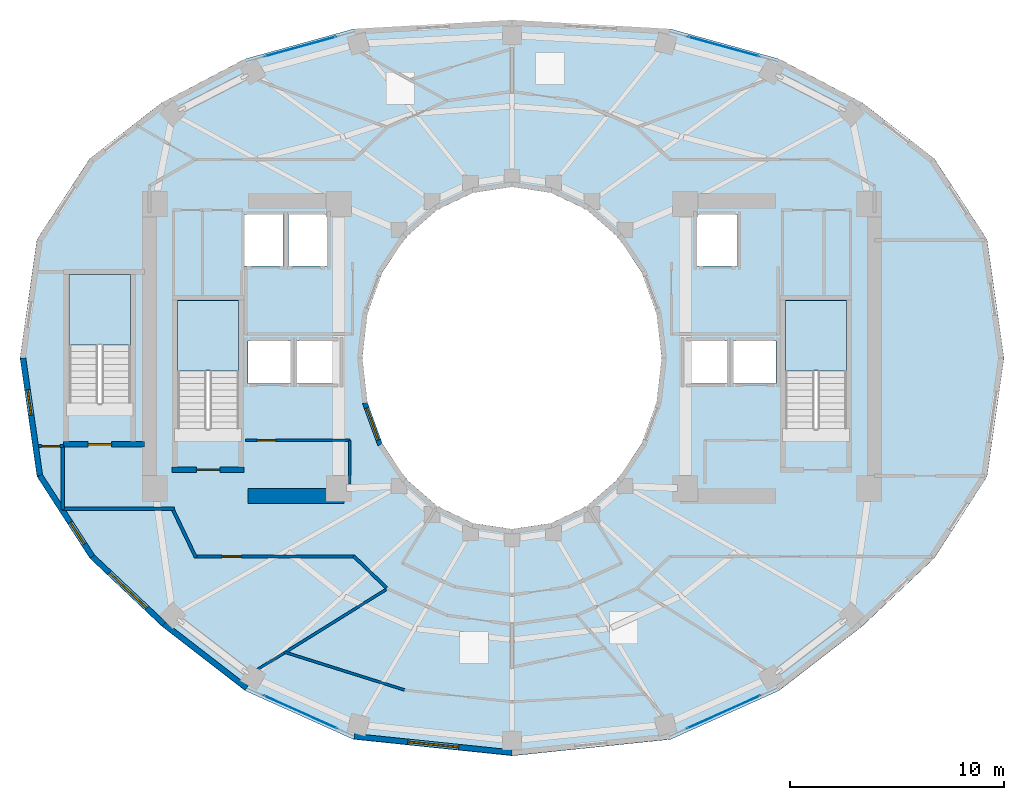
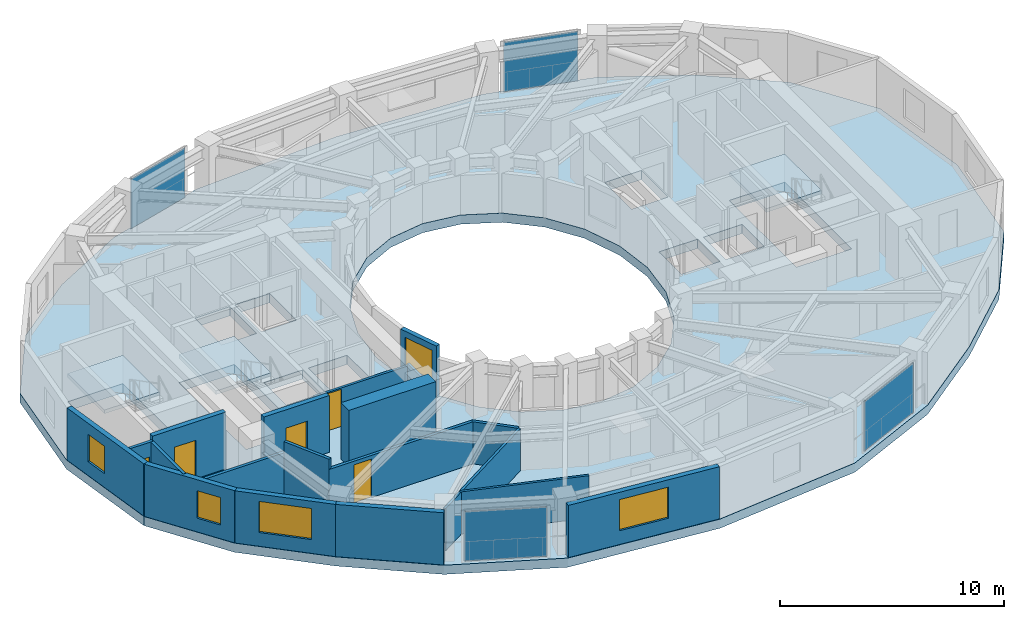
# One storey, part 10 of 17: 19 walls, 5 doors, 5 windows, 4 plates, 4 slabs, 10 openings, 7 elements without a shape of their own.
"""IFC4 building model written with IfcOpenShell, lengths in metres."""

from ifc_helpers import new_model, si_unit, direction, frame, frame_2d, origin, origin_2d, place, context, subcontext, project, spatial, polyline, rectangle, outline, extrude, material, layer, layer_set, type_object, element, fill, aggregate, save


model = new_model("IFC4")

# Units and contexts
model_context = context("Model", 3, precision=1e-05, world=origin(), true_north=direction((0.0, 1.0)))
body_context = subcontext(model_context, "Body", "Model", "MODEL_VIEW")
ifc_project = project(units=[si_unit("LENGTHUNIT", "METRE"), si_unit("AREAUNIT", "SQUARE_METRE"), si_unit("VOLUMEUNIT", "CUBIC_METRE"), si_unit("PLANEANGLEUNIT", "RADIAN"), si_unit("MASSUNIT", "GRAM", prefix="KILO")], contexts=[model_context])

# Site, building, storey
site_placement = place(None, origin())
site = spatial("IfcSite", under=ifc_project, at=site_placement, CompositionType="ELEMENT")
building_placement = place(site_placement, origin())
building = spatial("IfcBuilding", under=site, at=building_placement, Name="Solvane Sanctuary Tower", CompositionType="ELEMENT")
storey_placement = place(building_placement, frame((0.0, 0.0, 171.5)))
storey = spatial("IfcBuildingStorey", under=building, at=storey_placement, Name="L52", CompositionType="ELEMENT", Elevation=171.5)

# Curtain wall, plate
ifc_material_1 = material(Name="Anodised Aluminium 6063-T6", Category="aluminium")
ifc_layer_1 = layer(ifc_material_1, 0.179931640625, Name="Anodised Aluminium 6063-T6")
ifc_layer_set_1 = layer_set([ifc_layer_1], Name="Anodised Aluminium 6063-T6")
curtain_wall_type = type_object("IfcCurtainWallType", Name="Curtain Wall CW-FRIT-Z2", PredefinedType="NOTDEFINED", material=ifc_layer_set_1)
curtain_wall_1_placement = place(storey_placement, origin())
curtain_wall_1 = element("IfcCurtainWall", 1, at=curtain_wall_1_placement, inside=storey, type_object=curtain_wall_type, Name="L52 CW-FRIT-Z2 Facade Run 04", PredefinedType="NOTDEFINED")
ifc_material_2 = material(Name="Dark Ceramic-Fritted Low-E Glass", Category="glass")
ifc_layer_2 = layer(ifc_material_2, 0.031982421875, Name="Dark Ceramic-Fritted Low-E Glass")
ifc_layer_set_2 = layer_set([ifc_layer_2], Name="Dark Ceramic-Fritted Low-E Glass")
plate_type = type_object("IfcPlateType", Name="Plate PN-FRIT-VIS", PredefinedType="CURTAIN_PANEL", material=ifc_layer_set_2)
plate_1_placement = place(storey_placement, frame((41.88916015625, 37.56005859375, 0.06494140625), z_axis=(0.0, 0.0, 1.0), x_axis=(-0.963967053183, 0.266021653965, 0.0)))
plate_1 = element("IfcPlate", 2, at=plate_1_placement, type_object=plate_type, Name="CW-FRIT-Z2 panel 1.1", PredefinedType="CURTAIN_PANEL", context=body_context, shape_type="SweptSolid", body=[
    extrude(rectangle(XDim=3.44677734375, YDim=0.031982421875, at=origin_2d()), origin(), (0.0, 0.0, 1.0), 2.7099609375),
])
aggregate(curtain_wall_1, [plate_1])

curtain_wall_2_placement = place(storey_placement, origin())
curtain_wall_2 = element("IfcCurtainWall", 3, at=curtain_wall_2_placement, inside=storey, type_object=curtain_wall_type, Name="L52 CW-FRIT-Z2 Facade Run 07", PredefinedType="NOTDEFINED")
plate_2_placement = place(storey_placement, frame((22.11083984375, 37.56005859375, 0.06494140625), z_axis=(0.0, 0.0, 1.0), x_axis=(-0.963967053183, -0.266021653965, 0.0)))
plate_2 = element("IfcPlate", 4, at=plate_2_placement, type_object=plate_type, Name="CW-FRIT-Z2 panel 1.1", PredefinedType="CURTAIN_PANEL", context=body_context, shape_type="SweptSolid", body=[
    extrude(rectangle(XDim=3.44677734375, YDim=0.031982421875, at=origin_2d()), origin(), (0.0, 0.0, 1.0), 2.7099609375),
])
aggregate(curtain_wall_2, [plate_2])

curtain_wall_3_placement = place(storey_placement, origin())
curtain_wall_3 = element("IfcCurtainWall", 5, at=curtain_wall_3_placement, inside=storey, type_object=curtain_wall_type, Name="L52 CW-FRIT-Z2 Facade Run 16", PredefinedType="NOTDEFINED")
plate_3_placement = place(storey_placement, frame((22.11083984375, 6.447998046875, 0.06494140625), z_axis=(0.0, 0.0, 1.0), x_axis=(0.912350220676, -0.409410643281, 0.0)))
plate_3 = element("IfcPlate", 6, at=plate_3_placement, type_object=plate_type, Name="CW-FRIT-Z2 panel 1.1", PredefinedType="CURTAIN_PANEL", context=body_context, shape_type="SweptSolid", body=[
    extrude(rectangle(XDim=3.742919921875, YDim=0.031982421875, at=origin_2d()), origin(), (0.0, 0.0, 1.0), 2.7099609375),
])
aggregate(curtain_wall_3, [plate_3])

curtain_wall_4_placement = place(storey_placement, origin())
curtain_wall_4 = element("IfcCurtainWall", 7, at=curtain_wall_4_placement, inside=storey, type_object=curtain_wall_type, Name="L52 CW-FRIT-Z2 Facade Run 19", PredefinedType="NOTDEFINED")
plate_4_placement = place(storey_placement, frame((41.88916015625, 6.447998046875, 0.06494140625), z_axis=(0.0, 0.0, 1.0), x_axis=(0.912350220676, 0.409410643281, 0.0)))
plate_4 = element("IfcPlate", 8, at=plate_4_placement, type_object=plate_type, Name="CW-FRIT-Z2 panel 1.1", PredefinedType="CURTAIN_PANEL", context=body_context, shape_type="SweptSolid", body=[
    extrude(rectangle(XDim=3.742919921875, YDim=0.031982421875, at=origin_2d()), origin(), (0.0, 0.0, 1.0), 2.7099609375),
])
aggregate(curtain_wall_4, [plate_4])

# Stair, slab
ifc_material_3 = material(Name="Concrete C45/55", Category="concrete")
stair_type = type_object("IfcStairType", Name="Stair ST-TOW", PredefinedType="HALF_TURN_STAIR", material=ifc_material_3)
stair_1_placement = place(storey_placement, origin())
stair_1 = element("IfcStair", 9, at=stair_1_placement, inside=storey, type_object=stair_type, Name="L52 Exit Stair ST-1 West Core", PredefinedType="HALF_TURN_STAIR")
ifc_layer_3 = layer(ifc_material_3, 0.199951171875, Name="Concrete C45/55")
ifc_layer_set_3 = layer_set([ifc_layer_3], Name="Concrete C45/55")
slab_type_1 = type_object("IfcSlabType", Name="Slab SL-LAND-180", PredefinedType="LANDING", material=ifc_layer_set_3)
slab_1_placement = place(storey_placement, frame((0.0, 0.0, 1.35009765625)))
slab_1 = element("IfcSlab", 10, at=slab_1_placement, type_object=slab_type_1, Name="ST-1 landing 1", PredefinedType="LANDING", context=body_context, shape_type="SweptSolid", body=[
    extrude(outline(polyline([(19.219970703125, 22.39990234375), (19.219970703125, 25.699951171875), (16.360107421875, 25.699951171875), (16.360107421875, 22.39990234375), (19.219970703125, 22.39990234375)])), origin(), (0.0, 0.0, 1.0), 0.199951171875),
])
aggregate(stair_1, [slab_1])

stair_2_placement = place(storey_placement, origin())
stair_2 = element("IfcStair", 11, at=stair_2_placement, inside=storey, type_object=stair_type, Name="L52 Exit Stair ST-2 East Core", PredefinedType="HALF_TURN_STAIR")
slab_2_placement = place(storey_placement, frame((0.0, 0.0, 1.35009765625)))
slab_2 = element("IfcSlab", 12, at=slab_2_placement, type_object=slab_type_1, Name="ST-2 landing 1", PredefinedType="LANDING", context=body_context, shape_type="SweptSolid", body=[
    extrude(outline(polyline([(47.639892578125, 22.39990234375), (47.639892578125, 25.699951171875), (44.780029296875, 25.699951171875), (44.780029296875, 22.39990234375), (47.639892578125, 22.39990234375)])), origin(), (0.0, 0.0, 1.0), 0.199951171875),
])
aggregate(stair_2, [slab_2])

stair_3_placement = place(storey_placement, origin())
stair_3 = element("IfcStair", 13, at=stair_3_placement, inside=storey, type_object=stair_type, Name="L52 Exit Stair ST-3 Pilgrim Tower Stair", PredefinedType="HALF_TURN_STAIR")
slab_3_placement = place(storey_placement, frame((0.0, 0.0, 1.35009765625)))
slab_3 = element("IfcSlab", 14, at=slab_3_placement, type_object=slab_type_1, Name="ST-3 landing 1", PredefinedType="LANDING", context=body_context, shape_type="SweptSolid", body=[
    extrude(outline(polyline([(14.159912109375, 23.60009765625), (14.159912109375, 26.89990234375), (11.300048828125, 26.89990234375), (11.300048828125, 23.60009765625), (14.159912109375, 23.60009765625)])), origin(), (0.0, 0.0, 1.0), 0.199951171875),
])
aggregate(stair_3, [slab_3])

# Slab
ifc_material_4 = material(Name="Concrete C60/75", Category="concrete")
ifc_layer_4 = layer(ifc_material_4, 0.5, Name="Concrete C60/75")
ifc_layer_set_4 = layer_set([ifc_layer_4], Name="Concrete C60/75")
slab_type_2 = type_object("IfcSlabType", Name="Slab SL-XFER-500", PredefinedType="FLOOR", material=ifc_layer_set_4)
slab_4_placement = place(storey_placement, frame((0.0, 0.0, -0.5)))
element("IfcSlab", 15, at=slab_4_placement, inside=storey, type_object=slab_type_2, Name="L52 Primary Structural Slab", PredefinedType="FLOOR", context=body_context, shape_type="SweptSolid", body=[
    extrude(outline(polyline([(55.0, 23.0), (54.205322265625, 28.54150390625), (51.7392578125, 32.3193359375), (48.368896484375, 34.938720703125), (44.489013671875, 36.977294921875), (39.410400390625, 38.3818359375), (32.0, 38.800048828125), (24.589599609375, 38.3818359375), (19.510986328125, 36.977294921875), (15.631103515625, 34.938720703125), (12.2607421875, 32.3193359375), (9.794677734375, 28.54150390625), (9.0, 23.0), (9.794677734375, 17.45849609375), (12.2607421875, 13.639892578125), (15.631103515625, 10.45654296875), (19.510986328125, 7.4541015625), (24.589599609375, 5.17041015625), (32.0, 4.39990234375), (39.410400390625, 5.17041015625), (44.489013671875, 7.4541015625), (48.368896484375, 10.45654296875), (51.7392578125, 13.639892578125), (54.205322265625, 17.45849609375), (55.0, 23.0)]), holes=[polyline([(38.761474609375, 20.929443359375), (38.062255859375, 19.0), (36.94970703125, 17.343017578125), (35.5, 16.07177734375), (33.811767578125, 15.272705078125), (32.0, 15.0), (30.188232421875, 15.272705078125), (28.5, 16.07177734375), (27.05029296875, 17.343017578125), (25.937744140625, 19.0), (25.238525390625, 20.929443359375), (25.0, 23.0), (25.238525390625, 25.070556640625), (25.937744140625, 27.0), (27.05029296875, 28.656982421875), (28.5, 29.92822265625), (30.188232421875, 30.727294921875), (32.0, 31.0), (33.811767578125, 30.727294921875), (35.5, 29.92822265625), (36.94970703125, 28.656982421875), (38.062255859375, 27.0), (38.761474609375, 25.070556640625), (39.0, 23.0), (38.761474609375, 20.929443359375)]), polyline([(16.360107421875, 19.699951171875), (16.360107421875, 25.699951171875), (19.219970703125, 25.699951171875), (19.219970703125, 19.699951171875), (16.360107421875, 19.699951171875)]), polyline([(44.780029296875, 19.699951171875), (44.780029296875, 25.699951171875), (47.639892578125, 25.699951171875), (47.639892578125, 19.699951171875), (44.780029296875, 19.699951171875)]), polyline([(11.300048828125, 20.89990234375), (11.300048828125, 26.89990234375), (14.159912109375, 26.89990234375), (14.159912109375, 20.89990234375), (11.300048828125, 20.89990234375)]), polyline([(19.64990234375, 23.800048828125), (21.64990234375, 23.800048828125), (21.64990234375, 21.800048828125), (19.64990234375, 21.800048828125), (19.64990234375, 23.800048828125)]), polyline([(42.35009765625, 23.800048828125), (44.35009765625, 23.800048828125), (44.35009765625, 21.800048828125), (42.35009765625, 21.800048828125), (42.35009765625, 23.800048828125)]), polyline([(21.949951171875, 23.800048828125), (23.949951171875, 23.800048828125), (23.949951171875, 21.800048828125), (21.949951171875, 21.800048828125), (21.949951171875, 23.800048828125)]), polyline([(40.050048828125, 23.800048828125), (42.050048828125, 23.800048828125), (42.050048828125, 21.800048828125), (40.050048828125, 21.800048828125), (40.050048828125, 23.800048828125)]), polyline([(19.5, 29.699951171875), (21.300048828125, 29.699951171875), (21.300048828125, 27.300048828125), (19.5, 27.300048828125), (19.5, 29.699951171875)]), polyline([(21.550048828125, 29.699951171875), (23.35009765625, 29.699951171875), (23.35009765625, 27.300048828125), (21.550048828125, 27.300048828125), (21.550048828125, 29.699951171875)]), polyline([(40.64990234375, 29.699951171875), (42.550048828125, 29.699951171875), (42.550048828125, 27.300048828125), (40.64990234375, 27.300048828125), (40.64990234375, 29.699951171875)])]), origin(), (0.0, 0.0, 1.0), 0.5),
])

# Wall
ifc_layer_5 = layer(ifc_material_4, 0.699951171875, Name="Concrete C60/75")
ifc_layer_set_5 = layer_set([ifc_layer_5], Name="Concrete C60/75")
wall_type_1 = type_object("IfcWallType", Name="Wall W-CORE-700", PredefinedType="SHEAR", material=ifc_layer_set_5)
wall_1_placement = place(storey_placement, frame((19.64990234375, 16.550048828125, 0.0), z_axis=(0.0, 0.0, 1.0), x_axis=(1.0, 0.0, 0.0)))
element("IfcWall", 16, at=wall_1_placement, inside=storey, type_object=wall_type_1, Name="L52 Core Shear Wall WC-S", PredefinedType="SHEAR", context=body_context, shape_type="SweptSolid", body=[
    extrude(rectangle(XDim=4.5, YDim=0.699951171875, at=frame_2d((2.25, 0.0))), origin(), (0.0, 0.0, 1.0), 3.10009765625),
])

# Wall, opening, door
ifc_material_5 = material(Name="Acoustic Gypsum Partition Board")
ifc_layer_6 = layer(ifc_material_5, 0.14990234375, Name="Acoustic Gypsum Partition Board")
ifc_layer_set_6 = layer_set([ifc_layer_6], Name="Acoustic Gypsum Partition Board")
wall_type_2 = type_object("IfcWallType", Name="Wall W-CORR-150", PredefinedType="PARTITIONING", material=ifc_layer_set_6)
wall_2_placement = place(storey_placement, frame((9.869873046875, 18.8798828125, 0.0), z_axis=(0.0, 0.0, 1.0), x_axis=(1.0, 0.0, 0.0)))
wall_2 = element("IfcWall", 17, at=wall_2_placement, inside=storey, type_object=wall_type_2, Name="L52 SW Corner Closer 1", PredefinedType="PARTITIONING", context=body_context, shape_type="SweptSolid", body=[
    extrude(rectangle(XDim=1.170166015625, YDim=0.14990234375, at=frame_2d((0.5849609375, 0.0))), origin(), (0.0, 0.0, 1.0), 2.85498046875),
])
opening_1_placement = place(wall_2_placement, frame((0.139892578125, 0.0, 0.0)))
opening_1 = element("IfcOpeningElement", 18, at=opening_1_placement, cuts=wall_2, Name="Opening D-L52-16", PredefinedType="OPENING", context=body_context, shape_type="SweptSolid", body=[
    extrude(rectangle(XDim=0.85009765625, YDim=2.050048828125, at=frame_2d((0.425048828125, 1.02490234375))), frame((0.0, 0.0849609375, 0.0), z_axis=(0.0, -1.0, 0.0), x_axis=(1.0, 0.0, 0.0)), (0.0, 0.0, 1.0), 0.169921875),
])
ifc_material_6 = material(Name="Architectural Stainless Steel 316", Category="steel")
door_type_1 = type_object("IfcDoorType", Name="Door D-RISER", OperationType="NOTDEFINED", PredefinedType="DOOR", material=ifc_material_6)
door_1_placement = place(opening_1_placement, origin())
door_1 = element("IfcDoor", 19, at=door_1_placement, inside=storey, type_object=door_type_1, Name="L52 West Lookout Study Door", OperationType="SINGLE_SWING_RIGHT", OverallHeight=2.050048828125, OverallWidth=0.85009765625, PredefinedType="DOOR", context=body_context, shape_type="SweptSolid", body=[
    extrude(rectangle(XDim=0.85009765625, YDim=2.050048828125, at=frame_2d((0.425048828125, 1.02490234375))), frame((0.0, 0.02490234375, 0.0), z_axis=(0.0, -1.0, 0.0), x_axis=(1.0, 0.0, 0.0)), (0.0, 0.0, 1.0), 0.050048828125),
])
fill(opening_1, door_1)

# Walls
wall_3_placement = place(storey_placement, frame((11.0, 15.909912109375, 0.0), z_axis=(0.0, 0.0, 1.0), x_axis=(0.0, 1.0, 0.0)))
element("IfcWall", 20, at=wall_3_placement, inside=storey, type_object=wall_type_2, Name="L52 SW Corner Closer 2", PredefinedType="PARTITIONING", context=body_context, shape_type="SweptSolid", body=[
    extrude(rectangle(XDim=3.010009765625, YDim=0.14990234375, at=frame_2d((1.5048828125, 0.0))), origin(), (0.0, 0.0, 1.0), 2.85498046875),
])
wall_4_placement = place(storey_placement, frame((10.9599609375, 15.949951171875, 0.0), z_axis=(0.0, 0.0, 1.0), x_axis=(1.0, 0.0, 0.0)))
element("IfcWall", 21, at=wall_4_placement, inside=storey, type_object=wall_type_2, Name="L52 SW Corner Closer 3", PredefinedType="PARTITIONING", context=body_context, shape_type="SweptSolid", body=[
    extrude(rectangle(XDim=5.260009765625, YDim=0.14990234375, at=frame_2d((2.6298828125, 0.0))), origin(), (0.0, 0.0, 1.0), 2.219970703125),
])
wall_5_placement = place(storey_placement, frame((26.132568359375, 12.251220703125, 0.0), z_axis=(0.0, 0.0, 1.0), x_axis=(-0.717419568599, 0.696641344302, 0.0)))
element("IfcWall", 22, at=wall_5_placement, inside=storey, type_object=wall_type_2, Name="L52 SW Corner Throat Wall", PredefinedType="PARTITIONING", context=body_context, shape_type="SweptSolid", body=[
    extrude(rectangle(XDim=2.138427734375, YDim=0.14990234375, at=frame_2d((1.0693359375, 0.0))), origin(), (0.0, 0.0, 1.0), 2.299072265625),
])

# Wall, opening, door
wall_6_placement = place(storey_placement, frame((17.14990234375, 13.719970703125, 0.0), z_axis=(0.0, 0.0, 1.0), x_axis=(1.0, 0.0, 0.0)))
wall_6 = element("IfcWall", 23, at=wall_6_placement, inside=storey, type_object=wall_type_2, Name="L52 SW Corner Corridor Wall", PredefinedType="PARTITIONING", context=body_context, shape_type="SweptSolid", body=[
    extrude(rectangle(XDim=7.52001953125, YDim=0.14990234375, at=frame_2d((3.760009765625, 0.0))), origin(), (0.0, 0.0, 1.0), 2.299072265625),
])
opening_2_placement = place(wall_6_placement, frame((1.300048828125, 0.0, 0.0)))
opening_2 = element("IfcOpeningElement", 24, at=opening_2_placement, cuts=wall_6, Name="Opening D-L52-17", PredefinedType="OPENING", context=body_context, shape_type="SweptSolid", body=[
    extrude(rectangle(XDim=0.89990234375, YDim=2.10009765625, at=frame_2d((0.449951171875, 1.050048828125))), frame((0.0, 0.0849609375, 0.0), z_axis=(0.0, -1.0, 0.0), x_axis=(1.0, 0.0, 0.0)), (0.0, 0.0, 1.0), 0.169921875),
])
ifc_material_7 = material(Name="Engineered Tropical Hardwood", Category="wood")
door_type_2 = type_object("IfcDoorType", Name="Door D-WET-900", OperationType="NOTDEFINED", PredefinedType="DOOR", material=ifc_material_7)
door_2_placement = place(opening_2_placement, origin())
door_2 = element("IfcDoor", 25, at=door_2_placement, inside=storey, type_object=door_type_2, Name="L52 SW Corner Salon Door", OperationType="SINGLE_SWING_LEFT", OverallHeight=2.10009765625, OverallWidth=0.89990234375, PredefinedType="DOOR", context=body_context, shape_type="SweptSolid", body=[
    extrude(rectangle(XDim=0.89990234375, YDim=2.10009765625, at=frame_2d((0.449951171875, 1.050048828125))), frame((0.0, 0.02490234375, 0.0), z_axis=(0.0, -1.0, 0.0), x_axis=(1.0, 0.0, 0.0)), (0.0, 0.0, 1.0), 0.050048828125),
])
fill(opening_2, door_2)

# Wall
wall_7_placement = place(storey_placement, frame((17.2216796875, 13.6748046875, 0.0), z_axis=(0.0, 0.0, 1.0), x_axis=(-0.431973389813, 0.901886351207, 0.0)))
element("IfcWall", 26, at=wall_7_placement, inside=storey, type_object=wall_type_2, Name="L52 SW Corner Wing Wall", PredefinedType="PARTITIONING", context=body_context, shape_type="SweptSolid", body=[
    extrude(rectangle(XDim=2.45166015625, YDim=0.14990234375, at=frame_2d((1.225830078125, 0.0))), origin(), (0.0, 0.0, 1.0), 2.85498046875),
])

# Wall, opening, window
ifc_material_8 = material(Name="Precast concrete C40/50", Category="concrete")
ifc_layer_7 = layer(ifc_material_8, 0.260009765625, Name="Precast concrete C40/50")
ifc_layer_set_7 = layer_set([ifc_layer_7], Name="Precast concrete C40/50")
wall_type_3 = type_object("IfcWallType", Name="Wall W-EXT-250", PredefinedType="STANDARD", material=ifc_layer_set_7)
wall_8_placement = place(storey_placement, frame((9.139892578125, 23.0, 0.0), z_axis=(0.0, 0.0, 1.0), x_axis=(0.142227632286, -0.989833976288, 0.0)))
wall_8 = element("IfcWall", 27, at=wall_8_placement, inside=storey, type_object=wall_type_3, Name="L52 Ceramic-Printed Facade Wall 12", PredefinedType="STANDARD", context=body_context, shape_type="SweptSolid", body=[
    extrude(rectangle(XDim=5.552978515625, YDim=0.260009765625, at=frame_2d((2.7763671875, 0.0))), origin(), (0.0, 0.0, 1.0), 2.85009765625),
])
opening_3_placement = place(wall_8_placement, frame((1.506103515625, 0.0, 0.75)))
opening_3 = element("IfcOpeningElement", 28, at=opening_3_placement, cuts=wall_8, Name="Opening WN-OPER-1200", PredefinedType="OPENING", context=body_context, shape_type="SweptSolid", body=[
    extrude(rectangle(XDim=1.199951171875, YDim=1.5, at=frame_2d((0.60009765625, 0.75))), frame((0.0, 0.139892578125, 0.0), z_axis=(0.0, -1.0, 0.0), x_axis=(1.0, 0.0, 0.0)), (0.0, 0.0, 1.0), 0.280029296875),
])
window_type_1 = type_object("IfcWindowType", Name="Window WN-OPER-1200", PartitioningType="SINGLE_PANEL", PredefinedType="WINDOW", material=ifc_material_2)
window_1_placement = place(opening_3_placement, origin())
window_1 = element("IfcWindow", 29, at=window_1_placement, inside=storey, type_object=window_type_1, Name="L52 Operable Facade Window 12", OverallHeight=1.5, OverallWidth=1.199951171875, PartitioningType="SINGLE_PANEL", PredefinedType="WINDOW", context=body_context, shape_type="SweptSolid", body=[
    extrude(rectangle(XDim=1.199951171875, YDim=1.5, at=frame_2d((0.60009765625, 0.75))), frame((0.0, 0.030029296875, 0.0), z_axis=(0.0, -1.0, 0.0), x_axis=(1.0, 0.0, 0.0)), (0.0, 0.0, 1.0), 0.06005859375),
])
fill(opening_3, window_1)

wall_9_placement = place(storey_placement, frame((9.9296875, 17.50341796875, 0.0), z_axis=(0.0, 0.0, 1.0), x_axis=(0.543358984534, -0.839500454989, 0.0)))
wall_9 = element("IfcWall", 30, at=wall_9_placement, inside=storey, type_object=wall_type_3, Name="L52 Ceramic-Printed Facade Wall 13", PredefinedType="STANDARD", context=body_context, shape_type="SweptSolid", body=[
    extrude(rectangle(XDim=4.51123046875, YDim=0.260009765625, at=frame_2d((2.255615234375, 0.0))), origin(), (0.0, 0.0, 1.0), 2.85009765625),
])
opening_4_placement = place(wall_9_placement, frame((2.615478515625, 0.0, 0.75)))
opening_4 = element("IfcOpeningElement", 31, at=opening_4_placement, cuts=wall_9, Name="Opening WN-OPER-1200", PredefinedType="OPENING", context=body_context, shape_type="SweptSolid", body=[
    extrude(rectangle(XDim=1.199951171875, YDim=1.5, at=frame_2d((0.60009765625, 0.75))), frame((0.0, 0.139892578125, 0.0), z_axis=(0.0, -1.0, 0.0), x_axis=(1.0, 0.0, 0.0)), (0.0, 0.0, 1.0), 0.280029296875),
])
window_2_placement = place(opening_4_placement, origin())
window_2 = element("IfcWindow", 32, at=window_2_placement, inside=storey, type_object=window_type_1, Name="L52 Operable Facade Window 13", OverallHeight=1.5, OverallWidth=1.199951171875, PartitioningType="SINGLE_PANEL", PredefinedType="WINDOW", context=body_context, shape_type="SweptSolid", body=[
    extrude(rectangle(XDim=1.199951171875, YDim=1.5, at=frame_2d((0.60009765625, 0.75))), frame((0.0, 0.030029296875, 0.0), z_axis=(0.0, -1.0, 0.0), x_axis=(1.0, 0.0, 0.0)), (0.0, 0.0, 1.0), 0.06005859375),
])
fill(opening_4, window_2)

wall_10_placement = place(storey_placement, frame((12.380859375, 13.71630859375, 0.0), z_axis=(0.0, 0.0, 1.0), x_axis=(0.727667301037, -0.68593024354, 0.0)))
wall_10 = element("IfcWall", 33, at=wall_10_placement, inside=storey, type_object=wall_type_3, Name="L52 Ceramic-Printed Facade Wall 14", PredefinedType="STANDARD", context=body_context, shape_type="SweptSolid", body=[
    extrude(rectangle(XDim=4.603515625, YDim=0.260009765625, at=frame_2d((2.3017578125, 0.0))), origin(), (0.0, 0.0, 1.0), 2.85009765625),
])
opening_5_placement = place(wall_10_placement, frame((1.101806640625, 0.0, 0.75)))
opening_5 = element("IfcOpeningElement", 34, at=opening_5_placement, cuts=wall_10, Name="Opening WN-RIB-2400", PredefinedType="OPENING", context=body_context, shape_type="SweptSolid", body=[
    extrude(rectangle(XDim=2.39990234375, YDim=1.699951171875, at=frame_2d((1.199951171875, 0.85009765625))), frame((0.0, 0.139892578125, 0.0), z_axis=(0.0, -1.0, 0.0), x_axis=(1.0, 0.0, 0.0)), (0.0, 0.0, 1.0), 0.280029296875),
])
window_type_2 = type_object("IfcWindowType", Name="Window WN-RIB-2400", PartitioningType="SINGLE_PANEL", PredefinedType="WINDOW", material=ifc_material_2)
window_3_placement = place(opening_5_placement, origin())
window_3 = element("IfcWindow", 35, at=window_3_placement, inside=storey, type_object=window_type_2, Name="L52 Operable Facade Window 14", OverallHeight=1.699951171875, OverallWidth=2.39990234375, PartitioningType="SINGLE_PANEL", PredefinedType="WINDOW", context=body_context, shape_type="SweptSolid", body=[
    extrude(rectangle(XDim=2.39990234375, YDim=1.699951171875, at=frame_2d((1.199951171875, 0.85009765625))), frame((0.0, 0.030029296875, 0.0), z_axis=(0.0, -1.0, 0.0), x_axis=(1.0, 0.0, 0.0)), (0.0, 0.0, 1.0), 0.06005859375),
])
fill(opening_5, window_3)

# Wall
wall_11_placement = place(storey_placement, frame((15.730712890625, 10.55859375, 0.0), z_axis=(0.0, 0.0, 1.0), x_axis=(0.791460185804, -0.611220724687, 0.0)))
element("IfcWall", 36, at=wall_11_placement, inside=storey, type_object=wall_type_3, Name="L52 Ceramic-Printed Facade Wall 15", PredefinedType="STANDARD", context=body_context, shape_type="SweptSolid", body=[
    extrude(rectangle(XDim=4.872314453125, YDim=0.260009765625, at=frame_2d((2.43603515625, 0.0))), origin(), (0.0, 0.0, 1.0), 2.85009765625),
])

# Wall, opening, window
wall_12_placement = place(storey_placement, frame((24.634765625, 5.3154296875, 0.0), z_axis=(0.0, 0.0, 1.0), x_axis=(0.994664178965, -0.10316574569, 0.0)))
wall_12 = element("IfcWall", 37, at=wall_12_placement, inside=storey, type_object=wall_type_3, Name="L52 Ceramic-Printed Facade Wall 17", PredefinedType="STANDARD", context=body_context, shape_type="SweptSolid", body=[
    extrude(rectangle(XDim=7.40478515625, YDim=0.260009765625, at=frame_2d((3.702392578125, 0.0))), origin(), (0.0, 0.0, 1.0), 2.85009765625),
])
opening_6_placement = place(wall_12_placement, frame((2.50244140625, 0.0, 0.75)))
opening_6 = element("IfcOpeningElement", 38, at=opening_6_placement, cuts=wall_12, Name="Opening WN-RIB-2400", PredefinedType="OPENING", context=body_context, shape_type="SweptSolid", body=[
    extrude(rectangle(XDim=2.39990234375, YDim=1.699951171875, at=frame_2d((1.199951171875, 0.85009765625))), frame((0.0, 0.139892578125, 0.0), z_axis=(0.0, -1.0, 0.0), x_axis=(1.0, 0.0, 0.0)), (0.0, 0.0, 1.0), 0.280029296875),
])
window_4_placement = place(opening_6_placement, origin())
window_4 = element("IfcWindow", 39, at=window_4_placement, inside=storey, type_object=window_type_2, Name="L52 Operable Facade Window 17", OverallHeight=1.699951171875, OverallWidth=2.39990234375, PartitioningType="SINGLE_PANEL", PredefinedType="WINDOW", context=body_context, shape_type="SweptSolid", body=[
    extrude(rectangle(XDim=2.39990234375, YDim=1.699951171875, at=frame_2d((1.199951171875, 0.85009765625))), frame((0.0, 0.030029296875, 0.0), z_axis=(0.0, -1.0, 0.0), x_axis=(1.0, 0.0, 0.0)), (0.0, 0.0, 1.0), 0.06005859375),
])
fill(opening_6, window_4)

ifc_layer_8 = layer(ifc_material_8, 0.22998046875, Name="Precast concrete C40/50")
ifc_layer_set_8 = layer_set([ifc_layer_8], Name="Precast concrete C40/50")
wall_type_4 = type_object("IfcWallType", Name="Wall W-EXT-SP220", PredefinedType="STANDARD", material=ifc_layer_set_8)
wall_13_placement = place(storey_placement, frame((25.12255859375, 20.8984375, 0.0), z_axis=(0.0, 0.0, 1.0), x_axis=(0.341423187295, -0.93990968033, 0.0)))
wall_13 = element("IfcWall", 40, at=wall_13_placement, inside=storey, type_object=wall_type_4, Name="L52 Central Light-Well Wall 13", PredefinedType="STANDARD", context=body_context, shape_type="SweptSolid", body=[
    extrude(rectangle(XDim=2.083740234375, YDim=0.22998046875, at=frame_2d((1.0419921875, 0.0))), origin(), (0.0, 0.0, 1.0), 2.840087890625),
])
opening_7_placement = place(wall_13_placement, frame((0.24169921875, 0.0, 0.85009765625)))
opening_7 = element("IfcOpeningElement", 41, at=opening_7_placement, cuts=wall_13, Name="Opening WN-WELL-1600", PredefinedType="OPENING", context=body_context, shape_type="SweptSolid", body=[
    extrude(rectangle(XDim=1.60009765625, YDim=1.64990234375, at=frame_2d((0.800048828125, 0.824951171875))), frame((0.0, 0.125, 0.0), z_axis=(0.0, -1.0, 0.0), x_axis=(1.0, 0.0, 0.0)), (0.0, 0.0, 1.0), 0.25),
])
ifc_material_9 = material(Name="Clear Laminated Light-Well Glass", Category="glass")
window_type_3 = type_object("IfcWindowType", Name="Window WN-WELL-1600", PartitioningType="SINGLE_PANEL", PredefinedType="WINDOW", material=ifc_material_9)
window_5_placement = place(opening_7_placement, origin())
window_5 = element("IfcWindow", 42, at=window_5_placement, inside=storey, type_object=window_type_3, Name="L52 Light-Well Daylight Window 13", OverallHeight=1.64990234375, OverallWidth=1.60009765625, PartitioningType="SINGLE_PANEL", PredefinedType="WINDOW", context=body_context, shape_type="SweptSolid", body=[
    extrude(rectangle(XDim=1.60009765625, YDim=1.64990234375, at=frame_2d((0.800048828125, 0.824951171875))), frame((0.0, 0.030029296875, 0.0), z_axis=(0.0, -1.0, 0.0), x_axis=(1.0, 0.0, 0.0)), (0.0, 0.0, 1.0), 0.06005859375),
])
fill(opening_7, window_5)

# Wall
ifc_layer_9 = layer(ifc_material_5, 0.1201171875, Name="Acoustic Gypsum Partition Board")
ifc_layer_set_9 = layer_set([ifc_layer_9], Name="Acoustic Gypsum Partition Board")
wall_type_5 = type_object("IfcWallType", Name="Wall W-MOV-100", PredefinedType="MOVABLE", material=ifc_layer_set_9)
wall_14_placement = place(storey_placement, frame((21.349853515625, 9.25634765625, 0.0), z_axis=(0.0, 0.0, 1.0), x_axis=(0.953651169296, -0.300914352101, 0.0)))
element("IfcWall", 43, at=wall_14_placement, inside=storey, type_object=wall_type_5, Name="L52 Suite Sitting Lounge Partition S1", PredefinedType="MOVABLE", context=body_context, shape_type="SweptSolid", body=[
    extrude(rectangle(XDim=5.922607421875, YDim=0.1201171875, at=frame_2d((2.96142578125, 0.0))), origin(), (0.0, 0.0, 1.0), 2.299072265625),
])

# Wall, opening, door
ifc_layer_10 = layer(ifc_material_5, 0.125, Name="Acoustic Gypsum Partition Board")
ifc_layer_set_10 = layer_set([ifc_layer_10], Name="Acoustic Gypsum Partition Board")
wall_type_6 = type_object("IfcWallType", Name="Wall W-PART-125", PredefinedType="PARTITIONING", material=ifc_layer_set_10)
wall_15_placement = place(storey_placement, frame((19.550048828125, 19.159912109375, 0.0), z_axis=(0.0, 0.0, 1.0), x_axis=(1.0, 0.0, 0.0)))
wall_15 = element("IfcWall", 44, at=wall_15_placement, inside=storey, type_object=wall_type_6, Name="L52 Reclaimed Room Partition PLW", PredefinedType="PARTITIONING", context=body_context, shape_type="SweptSolid", body=[
    extrude(rectangle(XDim=4.869873046875, YDim=0.125, at=frame_2d((2.43505859375, 0.0))), origin(), (0.0, 0.0, 1.0), 2.1201171875),
])
opening_8_placement = place(wall_15_placement, frame((0.550048828125, 0.0, 0.0)))
opening_8 = element("IfcOpeningElement", 45, at=opening_8_placement, cuts=wall_15, Name="Opening D-L52-06", PredefinedType="OPENING", context=body_context, shape_type="SweptSolid", body=[
    extrude(rectangle(XDim=0.85009765625, YDim=2.050048828125, at=frame_2d((0.425048828125, 1.02490234375))), frame((0.0, 0.072509765625, 0.0), z_axis=(0.0, -1.0, 0.0), x_axis=(1.0, 0.0, 0.0)), (0.0, 0.0, 1.0), 0.14501953125),
])
door_3_placement = place(opening_8_placement, origin())
door_3 = element("IfcDoor", 46, at=door_3_placement, inside=storey, type_object=door_type_1, Name="L52 Reclaimed Room Door PLW-1", OperationType="SINGLE_SWING_RIGHT", OverallHeight=2.050048828125, OverallWidth=0.85009765625, PredefinedType="DOOR", context=body_context, shape_type="SweptSolid", body=[
    extrude(rectangle(XDim=0.85009765625, YDim=2.050048828125, at=frame_2d((0.425048828125, 1.02490234375))), frame((0.0, 0.02490234375, 0.0), z_axis=(0.0, -1.0, 0.0), x_axis=(1.0, 0.0, 0.0)), (0.0, 0.0, 1.0), 0.050048828125),
])
fill(opening_8, door_3)

# Walls
wall_16_placement = place(storey_placement, frame((24.419921875, 17.10009765625, 0.0), z_axis=(0.0, 0.0, 1.0), x_axis=(0.0, 1.0, 0.0)))
element("IfcWall", 47, at=wall_16_placement, inside=storey, type_object=wall_type_6, Name="L52 Reclaimed Room Closer Wall PLW-1", PredefinedType="PARTITIONING", context=body_context, shape_type="SweptSolid", body=[
    extrude(rectangle(XDim=2.039794921875, YDim=0.125, at=frame_2d((1.02001953125, 0.0))), origin(), (0.0, 0.0, 1.0), 2.23193359375),
])
wall_17_placement = place(storey_placement, frame((26.125244140625, 12.18359375, 0.0), z_axis=(0.0, 0.0, 1.0), x_axis=(-0.849008457073, -0.528379257559, 0.0)))
element("IfcWall", 48, at=wall_17_placement, inside=storey, type_object=wall_type_6, Name="L52 Radial Compartment Wall 240", PredefinedType="PARTITIONING", context=body_context, shape_type="SweptSolid", body=[
    extrude(rectangle(XDim=7.076904296875, YDim=0.125, at=frame_2d((3.53857421875, 0.0))), origin(), (0.0, 0.0, 1.0), 2.299072265625),
])

# Wall, opening, door
ifc_material_10 = material(Name="Concrete C50/60", Category="concrete")
ifc_layer_11 = layer(ifc_material_10, 0.25, Name="Concrete C50/60")
ifc_layer_set_11 = layer_set([ifc_layer_11], Name="Concrete C50/60")
wall_type_7 = type_object("IfcWallType", Name="Wall W-SHAFT-250", PredefinedType="SOLIDWALL", material=ifc_layer_set_11)
wall_18_placement = place(storey_placement, frame((16.10498046875, 17.77001953125, 0.0), z_axis=(0.0, 0.0, 1.0), x_axis=(1.0, 0.0, 0.0)))
wall_18 = element("IfcWall", 49, at=wall_18_placement, inside=storey, type_object=wall_type_7, Name="L52 ST-1 Load-Bearing Shaft Wall S", PredefinedType="SOLIDWALL", context=body_context, shape_type="SweptSolid", body=[
    extrude(rectangle(XDim=3.3701171875, YDim=0.25, at=frame_2d((1.68505859375, 0.0))), origin(), (0.0, 0.0, 1.0), 3.10009765625),
])
opening_9_placement = place(wall_18_placement, frame((1.135009765625, 0.0, 0.0)))
opening_9 = element("IfcOpeningElement", 50, at=opening_9_placement, cuts=wall_18, Name="Opening D-L52-01", PredefinedType="OPENING", context=body_context, shape_type="SweptSolid", body=[
    extrude(rectangle(XDim=1.10009765625, YDim=2.10009765625, at=frame_2d((0.550048828125, 1.050048828125))), frame((0.0, 0.135009765625, 0.0), z_axis=(0.0, -1.0, 0.0), x_axis=(1.0, 0.0, 0.0)), (0.0, 0.0, 1.0), 0.27001953125),
])
door_type_3 = type_object("IfcDoorType", Name="Door D-STAIR", OperationType="NOTDEFINED", PredefinedType="DOOR", material=ifc_material_6)
door_4_placement = place(opening_9_placement, origin())
door_4 = element("IfcDoor", 51, at=door_4_placement, inside=storey, type_object=door_type_3, Name="L52 ST-1 Exit Stair Fire Door", OperationType="SINGLE_SWING_RIGHT", OverallHeight=2.10009765625, OverallWidth=1.10009765625, PredefinedType="DOOR", context=body_context, shape_type="SweptSolid", body=[
    extrude(rectangle(XDim=1.10009765625, YDim=2.10009765625, at=frame_2d((0.550048828125, 1.050048828125))), frame((0.0, 0.02490234375, 0.0), z_axis=(0.0, -1.0, 0.0), x_axis=(1.0, 0.0, 0.0)), (0.0, 0.0, 1.0), 0.050048828125),
])
fill(opening_9, door_4)

wall_19_placement = place(storey_placement, frame((11.044921875, 18.969970703125, 0.0), z_axis=(0.0, 0.0, 1.0), x_axis=(1.0, 0.0, 0.0)))
wall_19 = element("IfcWall", 52, at=wall_19_placement, inside=storey, type_object=wall_type_7, Name="L52 ST-3 Load-Bearing Shaft Wall S", PredefinedType="SOLIDWALL", context=body_context, shape_type="SweptSolid", body=[
    extrude(rectangle(XDim=3.781982421875, YDim=0.25, at=frame_2d((1.89111328125, 0.0))), origin(), (0.0, 0.0, 1.0), 3.10009765625),
])
opening_10_placement = place(wall_19_placement, frame((1.135009765625, 0.0, 0.0)))
opening_10 = element("IfcOpeningElement", 53, at=opening_10_placement, cuts=wall_19, Name="Opening D-L52-03", PredefinedType="OPENING", context=body_context, shape_type="SweptSolid", body=[
    extrude(rectangle(XDim=1.10009765625, YDim=2.10009765625, at=frame_2d((0.550048828125, 1.050048828125))), frame((0.0, 0.135009765625, 0.0), z_axis=(0.0, -1.0, 0.0), x_axis=(1.0, 0.0, 0.0)), (0.0, 0.0, 1.0), 0.27001953125),
])
door_5_placement = place(opening_10_placement, origin())
door_5 = element("IfcDoor", 54, at=door_5_placement, inside=storey, type_object=door_type_3, Name="L52 ST-3 Exit Stair Fire Door", OperationType="SINGLE_SWING_RIGHT", OverallHeight=2.10009765625, OverallWidth=1.10009765625, PredefinedType="DOOR", context=body_context, shape_type="SweptSolid", body=[
    extrude(rectangle(XDim=1.10009765625, YDim=2.10009765625, at=frame_2d((0.550048828125, 1.050048828125))), frame((0.0, 0.02490234375, 0.0), z_axis=(0.0, -1.0, 0.0), x_axis=(1.0, 0.0, 0.0)), (0.0, 0.0, 1.0), 0.050048828125),
])
fill(opening_10, door_5)

save(model, "model.ifc")
